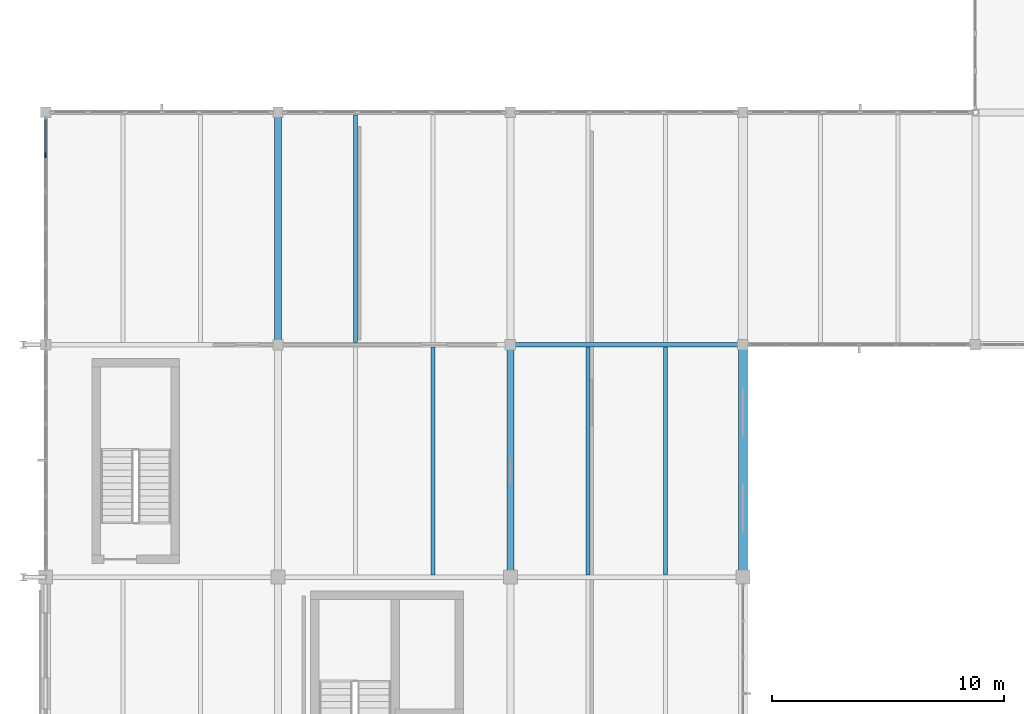
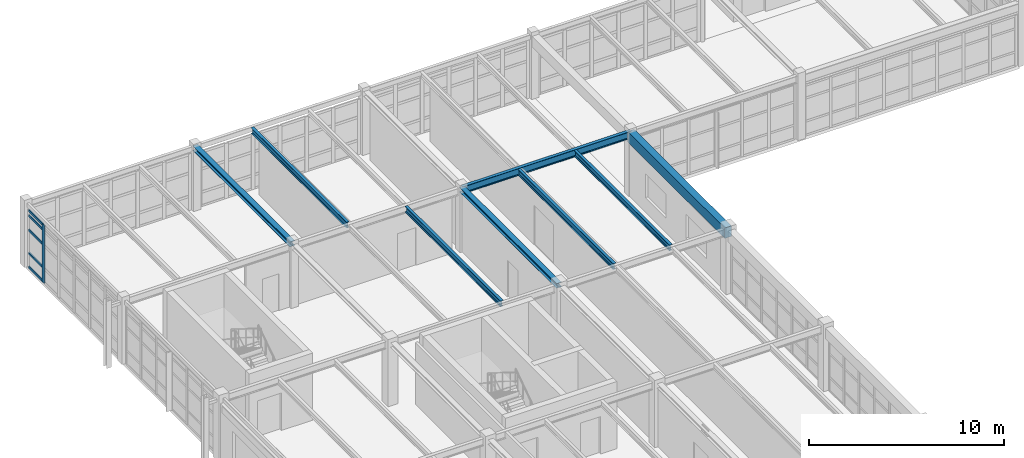
# One storey, part 34 of 122: 8 beams, 6 members, 1 element without a shape of its own.
"""IFC4 building model written with IfcOpenShell, lengths in metres."""

from ifc_helpers import new_model, si_unit, direction, frame, origin, origin_2d, place, context, subcontext, project, spatial, rectangle, i_section, extrude, material, layer, layer_set, material_profile, profile_set, type_object, element, aggregate, save


model = new_model("IFC4")

# Units and contexts
model_context = context("Model", 3, precision=1e-05, world=origin(), true_north=direction((0.0, 1.0)))
body_context = subcontext(model_context, "Body", "Model", "MODEL_VIEW")
ifc_project = project(units=[si_unit("LENGTHUNIT", "METRE"), si_unit("AREAUNIT", "SQUARE_METRE"), si_unit("VOLUMEUNIT", "CUBIC_METRE"), si_unit("PLANEANGLEUNIT", "RADIAN"), si_unit("MASSUNIT", "GRAM", prefix="KILO"), si_unit("THERMODYNAMICTEMPERATUREUNIT", "KELVIN"), si_unit("POWERUNIT", "WATT")], contexts=[model_context])

# Site, building, storey
site_placement = place(None, origin())
site = spatial("IfcSite", under=ifc_project, at=site_placement, CompositionType="ELEMENT")
building_placement = place(site_placement, origin())
building = spatial("IfcBuilding", under=site, at=building_placement, Name="Korenveer Ferry Terminal", CompositionType="ELEMENT")
storey_placement = place(building_placement, frame((0.0, 0.0, 10.199951171875)))
storey = spatial("IfcBuildingStorey", under=building, at=storey_placement, Name="L02", CompositionType="ELEMENT", Elevation=10.199951171875)

# Curtain wall, members
ifc_material_1 = material(Name="Unitised bronze-and-glass curtain wall", Category="glass")
ifc_layer = layer(ifc_material_1, 0.219970703125)
ifc_layer_set = layer_set([ifc_layer], Name="Unitised bronze-and-glass curtain wall")
curtain_wall_type = type_object("IfcCurtainWallType", Name="ENV-CW-107", PredefinedType="USERDEFINED", material=ifc_layer_set)
curtain_wall_placement = place(storey_placement, frame((0.0, 70.2548828125, 0.0)))
curtain_wall = element("IfcCurtainWall", 1, at=curtain_wall_placement, inside=storey, type_object=curtain_wall_type, Name="Lancet curtain wall CWX-L02-X0-0-Y70-80", ObjectType="UNITISED CURTAIN WALL", PredefinedType="USERDEFINED")
ifc_material_2 = material(Name="Anodised bronze aluminium", Category="aluminium")
ifc_material_profile_1 = material_profile(ifc_material_2, rectangle(XDim=0.074951171875, YDim=0.219970703125, at=origin_2d()), Name="ALU 75x220")
ifc_profile_set_1 = profile_set([ifc_material_profile_1], Name="Anodised bronze aluminium")
member_type_1 = type_object("IfcMemberType", Name="ENV-CWM-75X220", PredefinedType="MULLION", material=ifc_profile_set_1)
member_1_placement = place(storey_placement, frame((0.0, 78.163330078125, 0.0), z_axis=(0.0, 0.0, 1.0), x_axis=(-1.0, 0.0, 0.0)))
member_1 = element("IfcMember", 2, at=member_1_placement, type_object=member_type_1, Name="CW-107 mullion 6", PredefinedType="MULLION", context=body_context, shape_type="SweptSolid", body=[
    extrude(rectangle(XDim=0.074951171875, YDim=0.219970703125, at=origin_2d()), origin(), (0.0, 0.0, 1.0), 3.60009765625),
])
ifc_material_profile_2 = material_profile(ifc_material_2, rectangle(XDim=0.074951171875, YDim=0.14990234375, at=origin_2d()), Name="ALU 75x150")
ifc_profile_set_2 = profile_set([ifc_material_profile_2], Name="Anodised bronze aluminium")
member_type_2 = type_object("IfcMemberType", Name="ENV-CWT-75X150", PredefinedType="USERDEFINED", material=ifc_profile_set_2)
member_2_placement = place(storey_placement, frame((0.0, 78.200927734375, 0.03759765625), z_axis=(0.0, 1.0, 0.0), x_axis=(-1.0, 0.0, 0.0)))
member_2 = element("IfcMember", 3, at=member_2_placement, type_object=member_type_2, Name="CW-107 transom 6.1", ObjectType="TRANSOM", PredefinedType="USERDEFINED", context=body_context, shape_type="SweptSolid", body=[
    extrude(rectangle(XDim=0.074951171875, YDim=0.14990234375, at=origin_2d()), origin(), (0.0, 0.0, 1.0), 1.468994140625),
])
member_3_placement = place(storey_placement, frame((0.0, 78.200927734375, 0.900146484375), z_axis=(0.0, 1.0, 0.0), x_axis=(-1.0, 0.0, 0.0)))
member_3 = element("IfcMember", 4, at=member_3_placement, type_object=member_type_2, Name="CW-107 transom 6.2", ObjectType="TRANSOM", PredefinedType="USERDEFINED", context=body_context, shape_type="SweptSolid", body=[
    extrude(rectangle(XDim=0.074951171875, YDim=0.14990234375, at=origin_2d()), origin(), (0.0, 0.0, 1.0), 1.468994140625),
])
member_4_placement = place(storey_placement, frame((0.0, 78.200927734375, 2.35009765625), z_axis=(0.0, 1.0, 0.0), x_axis=(-1.0, 0.0, 0.0)))
member_4 = element("IfcMember", 5, at=member_4_placement, type_object=member_type_2, Name="CW-107 transom 6.3", ObjectType="TRANSOM", PredefinedType="USERDEFINED", context=body_context, shape_type="SweptSolid", body=[
    extrude(rectangle(XDim=0.074951171875, YDim=0.14990234375, at=origin_2d()), origin(), (0.0, 0.0, 1.0), 1.468994140625),
])
member_5_placement = place(storey_placement, frame((0.0, 78.200927734375, 3.25), z_axis=(0.0, 1.0, 0.0), x_axis=(-1.0, 0.0, 0.0)))
member_5 = element("IfcMember", 6, at=member_5_placement, type_object=member_type_2, Name="CW-107 transom 6.4", ObjectType="TRANSOM", PredefinedType="USERDEFINED", context=body_context, shape_type="SweptSolid", body=[
    extrude(rectangle(XDim=0.074951171875, YDim=0.14990234375, at=origin_2d()), origin(), (0.0, 0.0, 1.0), 1.468994140625),
])
member_6_placement = place(storey_placement, frame((0.0, 78.200927734375, 3.5625), z_axis=(0.0, 1.0, 0.0), x_axis=(-1.0, 0.0, 0.0)))
member_6 = element("IfcMember", 7, at=member_6_placement, type_object=member_type_2, Name="CW-107 transom 6.5", ObjectType="TRANSOM", PredefinedType="USERDEFINED", context=body_context, shape_type="SweptSolid", body=[
    extrude(rectangle(XDim=0.074951171875, YDim=0.14990234375, at=origin_2d()), origin(), (0.0, 0.0, 1.0), 1.468994140625),
])
aggregate(curtain_wall, [member_1, member_2, member_3, member_4, member_5, member_6])

# Beams
ifc_material_3 = material(Name="Steel S355", Category="steel")
ifc_material_profile_3 = material_profile(ifc_material_3, i_section(OverallWidth=0.300048828125, OverallDepth=0.2900390625, WebThickness=0.008544921875, FlangeThickness=0.013916015625, FilletRadius=0.027099609375, at=origin_2d()), Name="HEA 300")
ifc_profile_set_3 = profile_set([ifc_material_profile_3], Name="Steel S355")
beam_type_1 = type_object("IfcBeamType", Name="STR-BM-HEA300", PredefinedType="BEAM", material=ifc_profile_set_3)
for number, where, z_axis, x_axis, name in (
    (8, (10.0, 70.02001953125, 3.8349609375), (0.0, 1.0, 0.0), (-1.0, 0.0, 0.0), "Primary Y girder BMY-L03-X10-Y70-80"),
    (9, (20.0, 60.02001953125, 3.804931640625), (0.0, 1.0, 0.0), (-1.0, 0.0, 0.0), "Primary Y girder BMY-L03-X20-Y60-70"),
):
    element("IfcBeam", number, at=place(storey_placement, frame(where, z_axis=z_axis, x_axis=x_axis)), inside=storey, type_object=beam_type_1, Name=name, PredefinedType="BEAM", context=body_context, shape_type="SweptSolid", body=[
        extrude(i_section(OverallWidth=0.300048828125, OverallDepth=0.2900390625, WebThickness=0.008544921875, FlangeThickness=0.013916015625, FilletRadius=0.027099609375, at=origin_2d()), origin(), (0.0, 0.0, 1.0), 9.9599609375),
    ])
ifc_material_profile_4 = material_profile(ifc_material_3, i_section(OverallWidth=0.18994140625, OverallDepth=0.449951171875, WebThickness=0.009521484375, FlangeThickness=0.0146484375, FilletRadius=0.02099609375, at=origin_2d()), Name="IPE 450")
ifc_profile_set_4 = profile_set([ifc_material_profile_4], Name="Steel S355")
beam_type_2 = type_object("IfcBeamType", Name="STR-BM-IPE450", PredefinedType="BEAM", material=ifc_profile_set_4)
beam_1_placement = place(storey_placement, frame((20.02001953125, 70.0, 3.72509765625), z_axis=(1.0, 0.0, 0.0), x_axis=(0.0, 1.0, 0.0)))
element("IfcBeam", 10, at=beam_1_placement, inside=storey, type_object=beam_type_2, Name="Primary X girder BMX-L03-X20-30-Y70", PredefinedType="BEAM", context=body_context, shape_type="SweptSolid", body=[
    extrude(i_section(OverallWidth=0.18994140625, OverallDepth=0.449951171875, WebThickness=0.009521484375, FlangeThickness=0.0146484375, FilletRadius=0.02099609375, at=origin_2d()), origin(), (0.0, 0.0, 1.0), 9.9599609375),
])
ifc_material_4 = material(Name="Concrete C40/50", Category="concrete")
ifc_material_profile_5 = material_profile(ifc_material_4, rectangle(XDim=0.39990234375, YDim=0.64990234375, at=origin_2d()), Name="RC 400x650")
ifc_profile_set_5 = profile_set([ifc_material_profile_5], Name="Concrete C40/50")
beam_type_3 = type_object("IfcBeamType", Name="STR-BM-RC400X650", PredefinedType="BEAM", material=ifc_profile_set_5)
beam_2_placement = place(storey_placement, frame((30.0, 60.02001953125, 3.625), z_axis=(0.0, 1.0, 0.0), x_axis=(-1.0, 0.0, 0.0)))
element("IfcBeam", 11, at=beam_2_placement, inside=storey, type_object=beam_type_3, Name="Primary Y girder BMY-L03-X30-Y60-70", PredefinedType="BEAM", context=body_context, shape_type="SweptSolid", body=[
    extrude(rectangle(XDim=0.39990234375, YDim=0.64990234375, at=origin_2d()), origin(), (0.0, 0.0, 1.0), 9.9599609375),
])
ifc_material_profile_6 = material_profile(ifc_material_3, i_section(OverallWidth=0.169921875, OverallDepth=0.360107421875, WebThickness=0.008056640625, FlangeThickness=0.0126953125, FilletRadius=0.01806640625, at=origin_2d()), Name="IPE 360")
ifc_profile_set_6 = profile_set([ifc_material_profile_6], Name="Steel S355")
beam_type_4 = type_object("IfcBeamType", Name="STR-JST-IPE360", PredefinedType="JOIST", material=ifc_profile_set_6)
beam_3_placement = place(storey_placement, frame((16.666748046875, 60.10498046875, 3.77001953125), z_axis=(0.0, 1.0, 0.0), x_axis=(-1.0, 0.0, 0.0)))
element("IfcBeam", 12, at=beam_3_placement, inside=storey, type_object=beam_type_4, Name="Secondary composite joist JST-L03-X167-Y60-70", PredefinedType="JOIST", context=body_context, shape_type="SweptSolid", body=[
    extrude(i_section(OverallWidth=0.169921875, OverallDepth=0.360107421875, WebThickness=0.008056640625, FlangeThickness=0.0126953125, FilletRadius=0.01806640625, at=origin_2d()), origin(), (0.0, 0.0, 1.0), 9.7900390625),
])
beam_4_placement = place(storey_placement, frame((13.333251953125, 70.10498046875, 3.800048828125), z_axis=(0.0, 1.0, 0.0), x_axis=(-1.0, 0.0, 0.0)))
element("IfcBeam", 13, at=beam_4_placement, inside=storey, type_object=beam_type_4, Name="Secondary composite joist JST-L03-X133-Y70-80", PredefinedType="JOIST", context=body_context, shape_type="SweptSolid", body=[
    extrude(i_section(OverallWidth=0.169921875, OverallDepth=0.360107421875, WebThickness=0.008056640625, FlangeThickness=0.0126953125, FilletRadius=0.01806640625, at=origin_2d()), origin(), (0.0, 0.0, 1.0), 9.784912109375),
])
for number, where, z_axis, x_axis, name in (
    (14, (23.333251953125, 60.10498046875, 3.77001953125), (0.0, 1.0, 0.0), (-1.0, 0.0, 0.0), "Secondary composite joist JST-L03-X233-Y60-70"),
    (15, (26.666748046875, 60.10498046875, 3.77001953125), (0.0, 1.0, 0.0), (-1.0, 0.0, 0.0), "Secondary composite joist JST-L03-X267-Y60-70"),
):
    element("IfcBeam", number, at=place(storey_placement, frame(where, z_axis=z_axis, x_axis=x_axis)), inside=storey, type_object=beam_type_4, Name=name, PredefinedType="JOIST", context=body_context, shape_type="SweptSolid", body=[
        extrude(i_section(OverallWidth=0.169921875, OverallDepth=0.360107421875, WebThickness=0.008056640625, FlangeThickness=0.0126953125, FilletRadius=0.01806640625, at=origin_2d()), origin(), (0.0, 0.0, 1.0), 9.7900390625),
    ])

save(model, "model.ifc")
